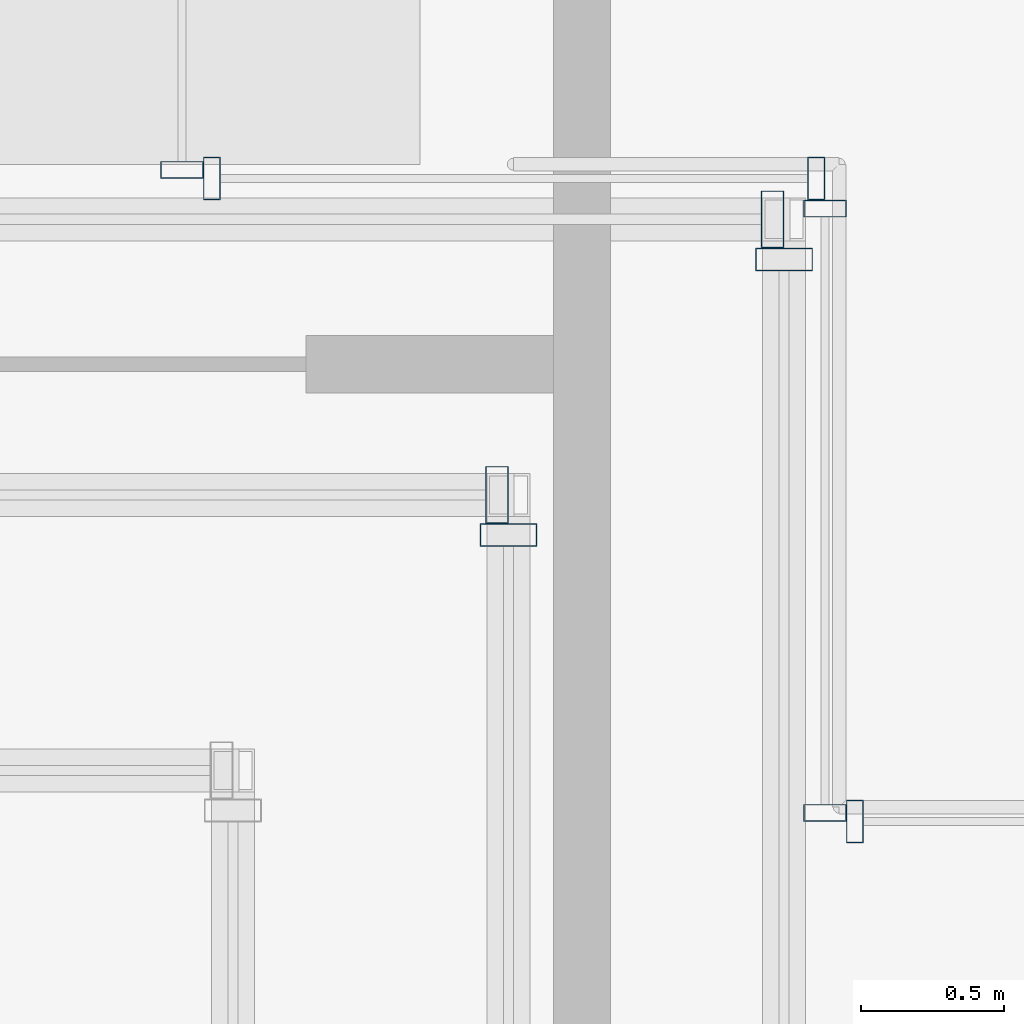
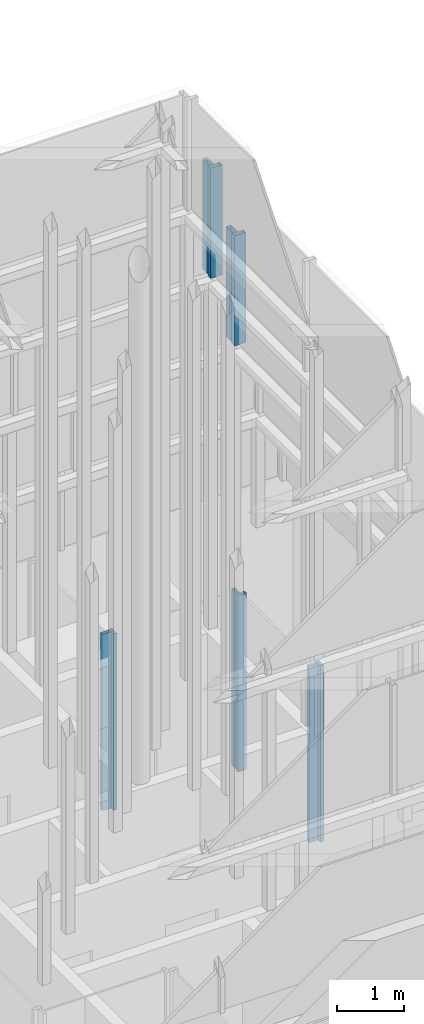
# One storey, part 50 of 62: 10 members, 8 elements without a shape of their own.
"""IFC4 building model written with IfcOpenShell, lengths in metres."""

from ifc_helpers import new_model, si_unit, direction, frame, origin, origin_2d, place, context, subcontext, project, spatial, hollow_rectangle, extrude, material, material_profile, profile_set, type_object, element, aggregate, save


model = new_model("IFC4")

# Units and contexts
model_context = context("Model", 3, precision=1e-05, world=origin(), true_north=direction((0.0, 1.0)))
body_context = subcontext(model_context, "Body", "Model", "MODEL_VIEW")
ifc_project = project(units=[si_unit("LENGTHUNIT", "METRE"), si_unit("AREAUNIT", "SQUARE_METRE"), si_unit("VOLUMEUNIT", "CUBIC_METRE"), si_unit("PLANEANGLEUNIT", "RADIAN"), si_unit("MASSUNIT", "GRAM", prefix="KILO")], contexts=[model_context])

# Site, building, storey
site_placement = place(None, origin())
site = spatial("IfcSite", under=ifc_project, at=site_placement, CompositionType="ELEMENT")
building_placement = place(site_placement, origin())
building = spatial("IfcBuilding", under=site, at=building_placement, Name="Altepetl Exchange Towers", CompositionType="ELEMENT")
storey_placement = place(building_placement, frame((0.0, 0.0, 210.0)))
storey = spatial("IfcBuildingStorey", under=building, at=storey_placement, Name="L53", CompositionType="ELEMENT", Elevation=210.0)

# Curtain wall, member
ifc_material_1 = material(Name="Aluminium 6063-T6 glazing", Category="aluminium")
curtain_wall_type_1 = type_object("IfcCurtainWallType", Name="Loggia glazing system", PredefinedType="NOTDEFINED", material=ifc_material_1)
curtain_wall_1_placement = place(storey_placement, origin())
curtain_wall_1 = element("IfcCurtainWall", 1, at=curtain_wall_1_placement, inside=storey, type_object=curtain_wall_type_1, Name="CW1 run", PredefinedType="NOTDEFINED")
ifc_material_2 = material(Name="Aluminium 6063-T6", Category="aluminium")
ifc_material_profile_1 = material_profile(ifc_material_2, hollow_rectangle(XDim=0.06005859375, YDim=0.14990234375, WallThickness=0.0029296875, at=origin_2d()), Name="Mullion 60x150 aluminium")
ifc_profile_set_1 = profile_set([ifc_material_profile_1], Name="Aluminium 6063-T6")
member_type_1 = type_object("IfcMemberType", Name="Mullion 60x150 aluminium", PredefinedType="MULLION", material=ifc_profile_set_1)
member_1_placement = place(storey_placement, frame((114.35498046875, 44.5, 0.0), z_axis=(0.0, 0.0, 1.0), x_axis=(-1.0, 0.0, 0.0)))
member_1 = element("IfcMember", 2, at=member_1_placement, type_object=member_type_1, Name="MU1 mullion", PredefinedType="MULLION", context=body_context, shape_type="SweptSolid", body=[
    extrude(hollow_rectangle(XDim=0.06005859375, YDim=0.14990234375, WallThickness=0.0029296875, at=origin_2d()), origin(), (0.0, 0.0, 1.0), 3.199951171875),
])
aggregate(curtain_wall_1, [member_1])

# Curtain wall, members
curtain_wall_2_placement = place(storey_placement, origin())
curtain_wall_2 = element("IfcCurtainWall", 3, at=curtain_wall_2_placement, inside=storey, type_object=curtain_wall_type_1, Name="CW1 run", PredefinedType="NOTDEFINED")
member_2_placement = place(storey_placement, frame((114.25, 44.530029296875, 0.0), z_axis=(0.0, 0.0, 1.0), x_axis=(0.0, 1.0, 0.0)))
member_2 = element("IfcMember", 4, at=member_2_placement, type_object=member_type_1, Name="MU1 mullion", PredefinedType="MULLION", context=body_context, shape_type="SweptSolid", body=[
    extrude(hollow_rectangle(XDim=0.06005859375, YDim=0.14990234375, WallThickness=0.0029296875, at=origin_2d()), origin(), (0.0, 0.0, 1.0), 3.199951171875),
])
member_3_placement = place(storey_placement, frame((114.25, 46.64501953125, 0.0), z_axis=(0.0, 0.0, 1.0), x_axis=(0.0, 1.0, 0.0)))
member_3 = element("IfcMember", 5, at=member_3_placement, type_object=member_type_1, Name="MU1 mullion", PredefinedType="MULLION", context=body_context, shape_type="SweptSolid", body=[
    extrude(hollow_rectangle(XDim=0.06005859375, YDim=0.14990234375, WallThickness=0.0029296875, at=origin_2d()), origin(), (0.0, 0.0, 1.0), 3.199951171875),
])
aggregate(curtain_wall_2, [member_2, member_3])

curtain_wall_3_placement = place(storey_placement, origin())
curtain_wall_3 = element("IfcCurtainWall", 6, at=curtain_wall_3_placement, inside=storey, type_object=curtain_wall_type_1, Name="CW1 run", PredefinedType="NOTDEFINED")
member_4_placement = place(storey_placement, frame((114.219970703125, 46.75, 0.0), z_axis=(0.0, 0.0, 1.0), x_axis=(-1.0, 0.0, 0.0)))
member_4 = element("IfcMember", 7, at=member_4_placement, type_object=member_type_1, Name="MU1 mullion", PredefinedType="MULLION", context=body_context, shape_type="SweptSolid", body=[
    extrude(hollow_rectangle(XDim=0.06005859375, YDim=0.14990234375, WallThickness=0.0029296875, at=origin_2d()), origin(), (0.0, 0.0, 1.0), 3.199951171875),
])
member_5_placement = place(storey_placement, frame((112.10498046875, 46.75, 0.0), z_axis=(0.0, 0.0, 1.0), x_axis=(-1.0, 0.0, 0.0)))
member_5 = element("IfcMember", 8, at=member_5_placement, type_object=member_type_1, Name="MU1 mullion", PredefinedType="MULLION", context=body_context, shape_type="SweptSolid", body=[
    extrude(hollow_rectangle(XDim=0.06005859375, YDim=0.14990234375, WallThickness=0.0029296875, at=origin_2d()), origin(), (0.0, 0.0, 1.0), 3.199951171875),
])
aggregate(curtain_wall_3, [member_4, member_5])

# Curtain wall, member
curtain_wall_4_placement = place(storey_placement, origin())
curtain_wall_4 = element("IfcCurtainWall", 9, at=curtain_wall_4_placement, inside=storey, type_object=curtain_wall_type_1, Name="CW1 run", PredefinedType="NOTDEFINED")
member_6_placement = place(storey_placement, frame((112.0, 46.780029296875, 0.0), z_axis=(0.0, 0.0, 1.0), x_axis=(0.0, 1.0, 0.0)))
member_6 = element("IfcMember", 10, at=member_6_placement, type_object=member_type_1, Name="MU1 mullion", PredefinedType="MULLION", context=body_context, shape_type="SweptSolid", body=[
    extrude(hollow_rectangle(XDim=0.06005859375, YDim=0.14990234375, WallThickness=0.0029296875, at=origin_2d()), origin(), (0.0, 0.0, 1.0), 3.199951171875),
])
aggregate(curtain_wall_4, [member_6])

curtain_wall_type_2 = type_object("IfcCurtainWallType", Name="Crown glazing system", PredefinedType="NOTDEFINED", material=ifc_material_1)
curtain_wall_5_placement = place(storey_placement, origin())
curtain_wall_5 = element("IfcCurtainWall", 11, at=curtain_wall_5_placement, inside=storey, type_object=curtain_wall_type_2, Name="CW7 run", PredefinedType="NOTDEFINED")
ifc_material_profile_2 = material_profile(ifc_material_2, hollow_rectangle(XDim=0.080078125, YDim=0.199951171875, WallThickness=0.0029296875, at=origin_2d()), Name="Mullion 80x200 hollow aluminium")
ifc_profile_set_2 = profile_set([ifc_material_profile_2], Name="Aluminium 6063-T6")
member_type_2 = type_object("IfcMemberType", Name="Mullion 80x200 hollow aluminium", PredefinedType="MULLION", material=ifc_profile_set_2)
member_7_placement = place(storey_placement, frame((114.107177734375, 46.467041015625, 7.89990234375), z_axis=(0.0, 0.0, 1.0), x_axis=(0.0, 1.0, 0.0)))
member_7 = element("IfcMember", 12, at=member_7_placement, type_object=member_type_2, Name="MU5 mullion", PredefinedType="MULLION", context=body_context, shape_type="SweptSolid", body=[
    extrude(hollow_rectangle(XDim=0.080078125, YDim=0.199951171875, WallThickness=0.0029296875, at=origin_2d()), origin(), (0.0, 0.0, 1.0), 2.0),
])
aggregate(curtain_wall_5, [member_7])

curtain_wall_6_placement = place(storey_placement, origin())
curtain_wall_6 = element("IfcCurtainWall", 13, at=curtain_wall_6_placement, inside=storey, type_object=curtain_wall_type_2, Name="CW7 run", PredefinedType="NOTDEFINED")
member_8_placement = place(storey_placement, frame((114.067138671875, 46.607177734375, 7.89990234375), z_axis=(0.0, 0.0, 1.0), x_axis=(-1.0, 0.0, 0.0)))
member_8 = element("IfcMember", 14, at=member_8_placement, type_object=member_type_2, Name="MU5 mullion", PredefinedType="MULLION", context=body_context, shape_type="SweptSolid", body=[
    extrude(hollow_rectangle(XDim=0.080078125, YDim=0.199951171875, WallThickness=0.0029296875, at=origin_2d()), origin(), (0.0, 0.0, 1.0), 2.0),
])
aggregate(curtain_wall_6, [member_8])

curtain_wall_7_placement = place(storey_placement, origin())
curtain_wall_7 = element("IfcCurtainWall", 15, at=curtain_wall_7_placement, inside=storey, type_object=curtain_wall_type_2, Name="CW7 run", PredefinedType="NOTDEFINED")
member_9_placement = place(storey_placement, frame((113.142822265625, 45.5029296875, 10.050048828125), z_axis=(0.0, 0.0, 1.0), x_axis=(0.0, 1.0, 0.0)))
member_9 = element("IfcMember", 16, at=member_9_placement, type_object=member_type_2, Name="MU5 mullion", PredefinedType="MULLION", context=body_context, shape_type="SweptSolid", body=[
    extrude(hollow_rectangle(XDim=0.080078125, YDim=0.199951171875, WallThickness=0.0029296875, at=origin_2d()), origin(), (0.0, 0.0, 1.0), 2.0),
])
aggregate(curtain_wall_7, [member_9])

curtain_wall_8_placement = place(storey_placement, origin())
curtain_wall_8 = element("IfcCurtainWall", 17, at=curtain_wall_8_placement, inside=storey, type_object=curtain_wall_type_2, Name="CW7 run", PredefinedType="NOTDEFINED")
member_10_placement = place(storey_placement, frame((113.102783203125, 45.642822265625, 10.050048828125), z_axis=(0.0, 0.0, 1.0), x_axis=(-1.0, 0.0, 0.0)))
member_10 = element("IfcMember", 18, at=member_10_placement, type_object=member_type_2, Name="MU5 mullion", PredefinedType="MULLION", context=body_context, shape_type="SweptSolid", body=[
    extrude(hollow_rectangle(XDim=0.080078125, YDim=0.199951171875, WallThickness=0.0029296875, at=origin_2d()), origin(), (0.0, 0.0, 1.0), 2.0),
])
aggregate(curtain_wall_8, [member_10])

save(model, "model.ifc")
